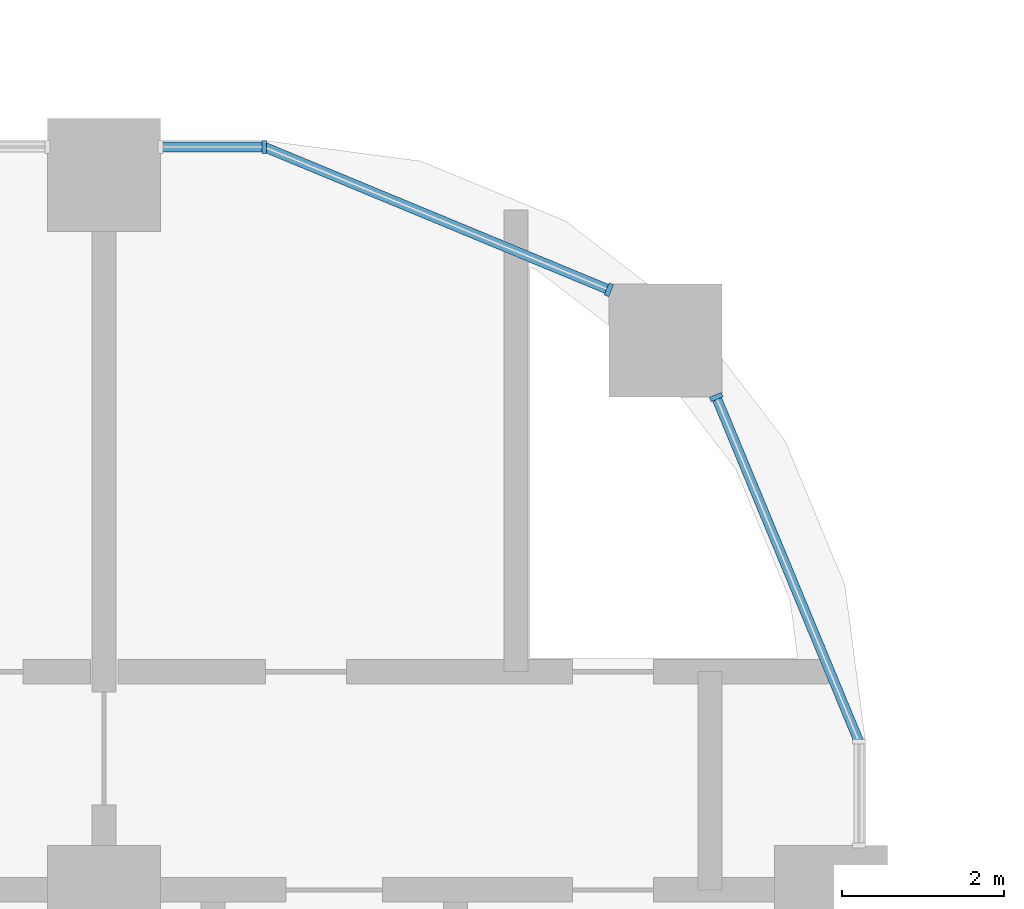
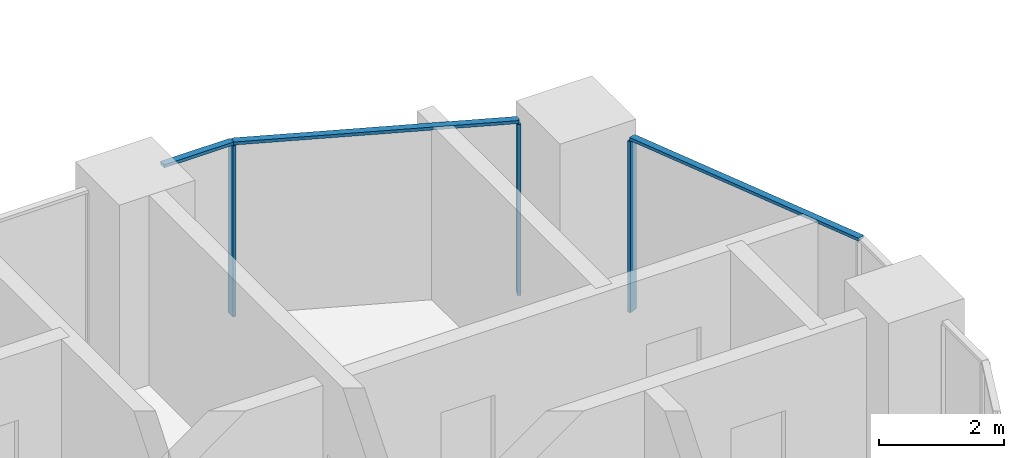
# One storey, part 5 of 31: 6 members, 3 elements without a shape of their own.
"""IFC4 building model written with IfcOpenShell, lengths in metres."""

from ifc_helpers import new_model, si_unit, direction, frame, origin, origin_2d, place, context, subcontext, project, spatial, rectangle, extrude, material, material_profile, profile_set, type_object, element, aggregate, save


model = new_model("IFC4")

# Units and contexts
model_context = context("Model", 3, precision=1e-05, world=origin(), true_north=direction((0.0, 1.0)))
body_context = subcontext(model_context, "Body", "Model", "MODEL_VIEW")
ifc_project = project(units=[si_unit("LENGTHUNIT", "METRE"), si_unit("AREAUNIT", "SQUARE_METRE"), si_unit("VOLUMEUNIT", "CUBIC_METRE"), si_unit("PLANEANGLEUNIT", "RADIAN"), si_unit("MASSUNIT", "GRAM", prefix="KILO")], contexts=[model_context])

# Site, building, storey
site_placement = place(None, origin())
site = spatial("IfcSite", under=ifc_project, at=site_placement, CompositionType="ELEMENT")
building_placement = place(site_placement, origin())
building = spatial("IfcBuilding", under=site, at=building_placement, Name="Ogive Portal Towers", CompositionType="ELEMENT")
storey_placement = place(building_placement, frame((0.0, 0.0, 40.89990234375)))
storey = spatial("IfcBuildingStorey", under=building, at=storey_placement, Name="L08", CompositionType="ELEMENT", Elevation=40.89990234375)

# Curtain wall, member
ifc_material_1 = material(Name="Glass, clear low-iron insulated glazing", Category="glass")
curtain_wall_type = type_object("IfcCurtainWallType", Name="CW FRONT RIBBON 4500", PredefinedType="NOTDEFINED", material=ifc_material_1)
curtain_wall_1_placement = place(storey_placement, origin())
curtain_wall_1 = element("IfcCurtainWall", 1, at=curtain_wall_1_placement, inside=storey, type_object=curtain_wall_type, Name="A:L08:f27:cw0~0", PredefinedType="NOTDEFINED")
ifc_material_2 = material(Name="Aluminium 6063 anodised", Category="aluminium")
ifc_material_profile_1 = material_profile(ifc_material_2, rectangle(XDim=0.159912109375, YDim=0.06005859375, at=origin_2d()), Name="AL 60x160")
ifc_profile_set_1 = profile_set([ifc_material_profile_1], Name="Aluminium 6063 anodised")
member_type_1 = type_object("IfcMemberType", Name="CW MULLION 60x160", PredefinedType="MULLION", material=ifc_profile_set_1)
member_1_placement = place(storey_placement, frame((87.484130859375, 39.844970703125, 0.0), z_axis=(0.0, 0.0, 1.0), x_axis=(0.0, -1.0, 0.0)))
member_1 = element("IfcMember", 2, at=member_1_placement, type_object=member_type_1, Name="mullion", PredefinedType="MULLION", context=body_context, shape_type="SweptSolid", body=[
    extrude(rectangle(XDim=0.159912109375, YDim=0.06005859375, at=origin_2d()), origin(), (0.0, 0.0, 1.0), 3.340087890625),
])

curtain_wall_2_placement = place(storey_placement, origin())
curtain_wall_2 = element("IfcCurtainWall", 3, at=curtain_wall_2_placement, inside=storey, type_object=curtain_wall_type, Name="A:L08:f25:cwa~0", PredefinedType="NOTDEFINED")
member_2_placement = place(storey_placement, frame((93.077880859375, 36.75, 0.0), z_axis=(0.0, 0.0, 1.0), x_axis=(-0.923879532511, -0.382683432365, 0.0)))
member_2 = element("IfcMember", 4, at=member_2_placement, type_object=member_type_1, Name="mullion", PredefinedType="MULLION", context=body_context, shape_type="SweptSolid", body=[
    extrude(rectangle(XDim=0.159912109375, YDim=0.06005859375, at=origin_2d()), origin(), (0.0, 0.0, 1.0), 3.340087890625),
])

curtain_wall_3_placement = place(storey_placement, origin())
curtain_wall_3 = element("IfcCurtainWall", 5, at=curtain_wall_3_placement, inside=storey, type_object=curtain_wall_type, Name="A:L08:f25:cwa~1", PredefinedType="NOTDEFINED")
member_3_placement = place(storey_placement, frame((91.75, 38.077880859375, 0.0), z_axis=(0.0, 0.0, 1.0), x_axis=(-0.382683432365, -0.923879532511, 0.0)))
member_3 = element("IfcMember", 6, at=member_3_placement, type_object=member_type_1, Name="mullion", PredefinedType="MULLION", context=body_context, shape_type="SweptSolid", body=[
    extrude(rectangle(XDim=0.159912109375, YDim=0.06005859375, at=origin_2d()), origin(), (0.0, 0.0, 1.0), 3.340087890625),
])

# Member
ifc_material_profile_2 = material_profile(ifc_material_2, rectangle(XDim=0.1201171875, YDim=0.06005859375, at=origin_2d()), Name="AL 120x60")
ifc_profile_set_2 = profile_set([ifc_material_profile_2], Name="Aluminium 6063 anodised")
member_type_2 = type_object("IfcMemberType", Name="CW TRANSOM 60x120", PredefinedType="USERDEFINED", material=ifc_profile_set_2)
member_4_placement = place(storey_placement, frame((87.484130859375, 39.844970703125, 3.3701171875), z_axis=(-1.0, 0.0, 0.0), x_axis=(0.0, -1.0, 0.0)))
member_4 = element("IfcMember", 7, at=member_4_placement, type_object=member_type_2, Name="transom", ObjectType="TRANSOM", PredefinedType="USERDEFINED", context=body_context, shape_type="SweptSolid", body=[
    extrude(rectangle(XDim=0.1201171875, YDim=0.06005859375, at=origin_2d()), origin(), (0.0, 0.0, 1.0), 1.2841796875),
])

aggregate(curtain_wall_1, [member_4, member_1])

member_5_placement = place(storey_placement, frame((94.844970703125, 32.484130859375, 3.3701171875), z_axis=(-0.38270357985, 0.923871186892, 0.0), x_axis=(-0.923871186892, -0.38270357985, 0.0)))
member_5 = element("IfcMember", 8, at=member_5_placement, type_object=member_type_2, Name="transom", ObjectType="TRANSOM", PredefinedType="USERDEFINED", context=body_context, shape_type="SweptSolid", body=[
    extrude(rectangle(XDim=0.1201171875, YDim=0.06005859375, at=origin_2d()), origin(), (0.0, 0.0, 1.0), 4.617431640625),
])

aggregate(curtain_wall_2, [member_5, member_2])

member_6_placement = place(storey_placement, frame((91.75, 38.077880859375, 3.3701171875), z_axis=(-0.923871186892, 0.38270357985, 0.0), x_axis=(-0.38270357985, -0.923871186892, 0.0)))
member_6 = element("IfcMember", 9, at=member_6_placement, type_object=member_type_2, Name="transom", ObjectType="TRANSOM", PredefinedType="USERDEFINED", context=body_context, shape_type="SweptSolid", body=[
    extrude(rectangle(XDim=0.1201171875, YDim=0.06005859375, at=origin_2d()), origin(), (0.0, 0.0, 1.0), 4.617431640625),
])

aggregate(curtain_wall_3, [member_6, member_3])

save(model, "model.ifc")
